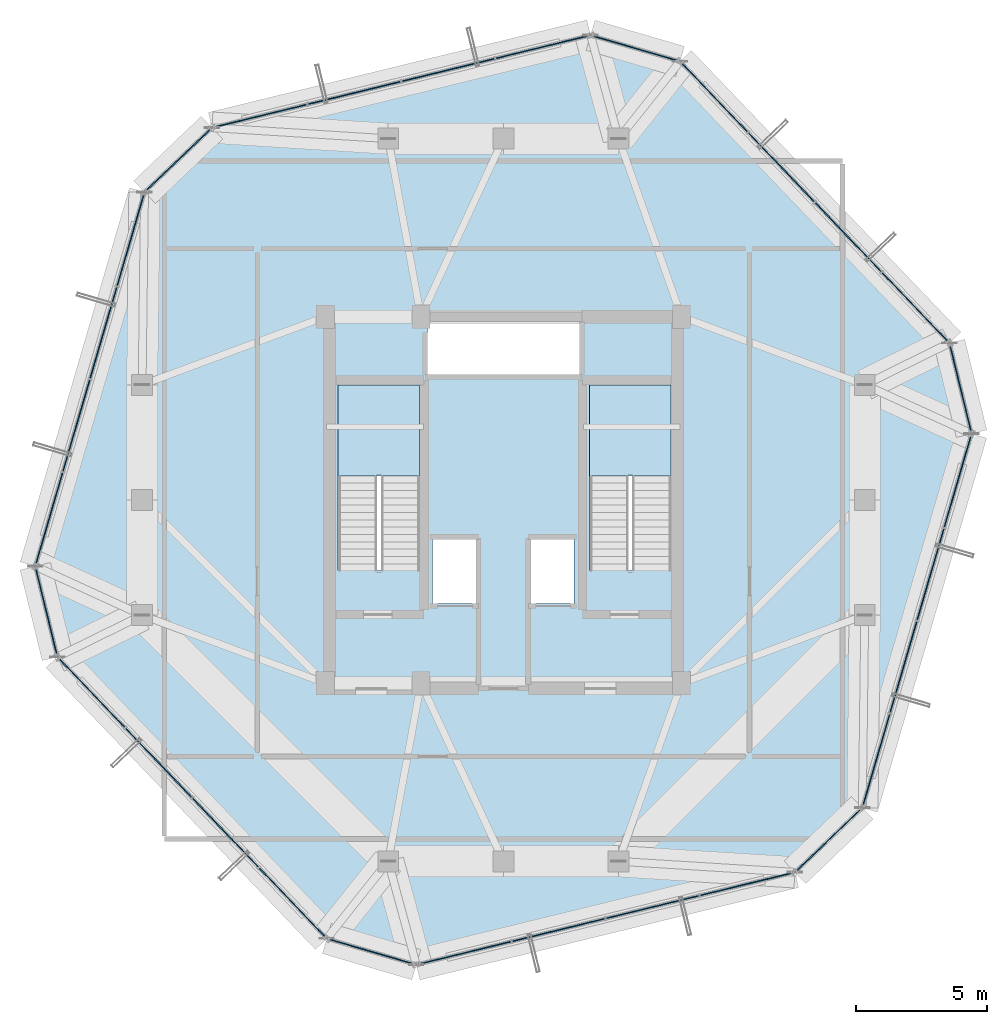
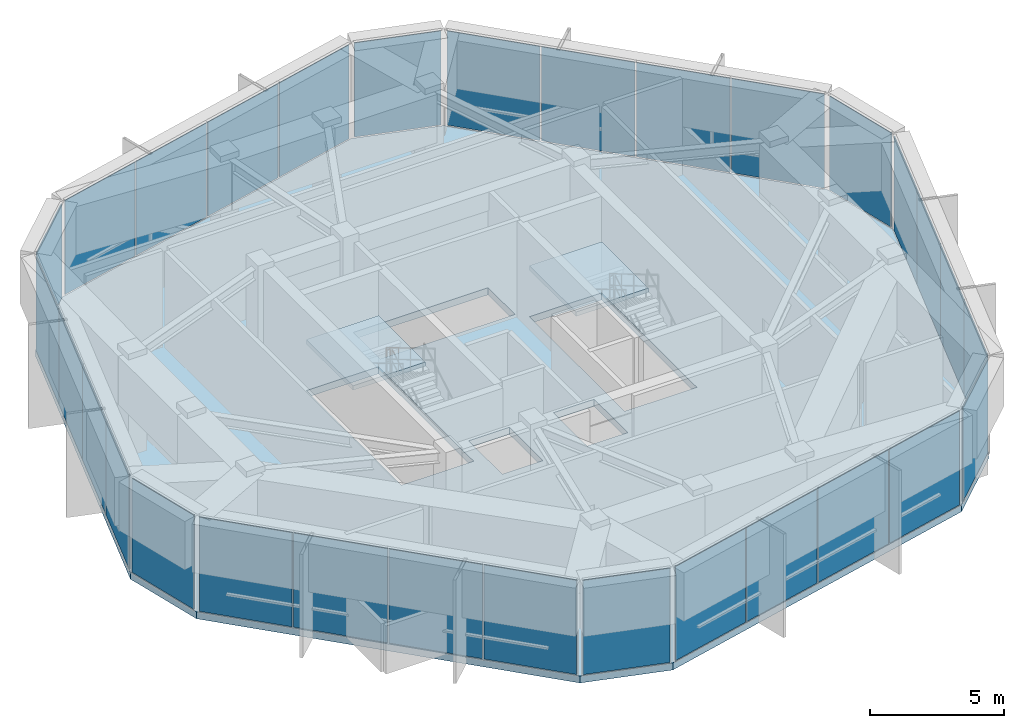
# One storey, part 34 of 39: 30 plates, 3 slabs, 14 elements without a shape of their own.
"""IFC4 building model written with IfcOpenShell, lengths in metres."""

from ifc_helpers import new_model, si_unit, direction, frame, origin, origin_2d, place, context, subcontext, project, spatial, polyline, rectangle, outline, extrude, source, transform, mapped, material, layer, layer_set, type_object, element, aggregate, save


model = new_model("IFC4")

# Units and contexts
model_context = context("Model", 3, precision=1e-05, world=origin(), true_north=direction((0.0, 1.0)))
body_context = subcontext(model_context, "Body", "Model", "MODEL_VIEW")
ifc_project = project(units=[si_unit("LENGTHUNIT", "METRE"), si_unit("AREAUNIT", "SQUARE_METRE"), si_unit("VOLUMEUNIT", "CUBIC_METRE"), si_unit("PLANEANGLEUNIT", "RADIAN"), si_unit("MASSUNIT", "GRAM", prefix="KILO")], contexts=[model_context])

# Site, building, storey
site_placement = place(None, origin())
site = spatial("IfcSite", under=ifc_project, at=site_placement, CompositionType="ELEMENT")
building_placement = place(site_placement, origin())
building = spatial("IfcBuilding", under=site, at=building_placement, Name="Veraguas Prism Commons", CompositionType="ELEMENT")
storey_placement = place(building_placement, frame((0.0, 0.0, 264.25)))
storey = spatial("IfcBuildingStorey", under=building, at=storey_placement, Name="L75", CompositionType="ELEMENT", Elevation=264.25)

# Slab
ifc_material_1 = material(Name="Concrete C45/55", Category="concrete")
ifc_layer_1 = layer(ifc_material_1, 0.320068359375, Name="Plant Refuge and Sky Lobby Slab RC 320", Category="concrete")
ifc_layer_set_1 = layer_set([ifc_layer_1], Name="Concrete C45/55")
slab_type_1 = type_object("IfcSlabType", Name="Plant Refuge and Sky Lobby Slab RC 320", PredefinedType="FLOOR", material=ifc_layer_set_1)
slab_1_placement = place(storey_placement, frame((0.0, 0.0, -0.320068359375)))
element("IfcSlab", 1, at=slab_1_placement, inside=storey, type_object=slab_type_1, Name="Tower Floor Slab L75", PredefinedType="FLOOR", context=body_context, shape_type="SweptSolid", body=[
    extrude(outline(polyline([(41.88134765625, 26.531982421875), (41.036376953125, 29.992919921875), (30.747802734375, 40.751708984375), (27.328125, 41.750244140625), (12.86669921875, 38.219482421875), (10.2919921875, 35.757568359375), (6.11865234375, 21.468017578125), (6.963623046875, 18.007080078125), (17.252197265625, 7.248291015625), (20.671875, 6.249755859375), (35.13330078125, 9.780517578125), (37.7080078125, 12.242431640625), (41.88134765625, 26.531982421875)]), holes=[polyline([(20.800048828125, 21.31005859375), (20.800048828125, 28.39990234375), (17.68994140625, 28.39990234375), (17.68994140625, 21.31005859375), (20.800048828125, 21.31005859375)]), polyline([(30.39990234375, 21.31005859375), (30.39990234375, 28.39990234375), (27.2900390625, 28.39990234375), (27.2900390625, 21.31005859375), (30.39990234375, 21.31005859375)]), polyline([(21.10009765625, 28.800048828125), (26.89990234375, 28.800048828125), (26.89990234375, 30.800048828125), (21.10009765625, 30.800048828125), (21.10009765625, 28.800048828125)]), polyline([(21.300048828125, 20.050048828125), (23.050048828125, 20.050048828125), (23.050048828125, 22.550048828125), (21.300048828125, 22.550048828125), (21.300048828125, 20.050048828125)]), polyline([(24.949951171875, 20.050048828125), (26.699951171875, 20.050048828125), (26.699951171875, 22.550048828125), (24.949951171875, 22.550048828125), (24.949951171875, 20.050048828125)])]), origin(), (0.0, 0.0, 1.0), 0.320068359375),
])

# Stair, slab
ifc_material_2 = material(Name="Precast concrete C45/55", Category="concrete")
stair_type = type_object("IfcStairType", Name="Dogleg Core Stair 1480W 28R 07", PredefinedType="HALF_TURN_STAIR", material=ifc_material_2)
stair_1_placement = place(storey_placement, origin())
stair_1 = element("IfcStair", 2, at=stair_1_placement, inside=storey, type_object=stair_type, Name="Protected Exit Stair ST-01 L75", PredefinedType="HALF_TURN_STAIR")
ifc_layer_2 = layer(ifc_material_2, 0.199951171875, Name="Precast Stair and Ramp Landing Slab 200", Category="concrete")
ifc_layer_set_2 = layer_set([ifc_layer_2], Name="Precast concrete C45/55")
slab_type_2 = type_object("IfcSlabType", Name="Precast Stair and Ramp Landing Slab 200", PredefinedType="LANDING", material=ifc_layer_set_2)
slab_2_placement = place(storey_placement, frame((0.0, 0.0, 2.125)))
slab_2 = element("IfcSlab", 3, at=slab_2_placement, type_object=slab_type_2, Name="ST-07 Landing 1", PredefinedType="LANDING", context=body_context, shape_type="SweptSolid", body=[
    extrude(outline(polyline([(20.800048828125, 24.919921875), (20.800048828125, 28.39990234375), (17.68994140625, 28.39990234375), (17.68994140625, 24.919921875), (20.800048828125, 24.919921875)])), origin(), (0.0, 0.0, 1.0), 0.199951171875),
])
aggregate(stair_1, [slab_2])

stair_2_placement = place(storey_placement, origin())
stair_2 = element("IfcStair", 4, at=stair_2_placement, inside=storey, type_object=stair_type, Name="Protected Exit Stair ST-02 L75", PredefinedType="HALF_TURN_STAIR")
slab_3_placement = place(storey_placement, frame((0.0, 0.0, 2.125)))
slab_3 = element("IfcSlab", 5, at=slab_3_placement, type_object=slab_type_2, Name="ST-07 Landing 1", PredefinedType="LANDING", context=body_context, shape_type="SweptSolid", body=[
    extrude(outline(polyline([(30.39990234375, 24.919921875), (30.39990234375, 28.39990234375), (27.2900390625, 28.39990234375), (27.2900390625, 24.919921875), (30.39990234375, 24.919921875)])), origin(), (0.0, 0.0, 1.0), 0.199951171875),
])
aggregate(stair_2, [slab_3])

# Curtain wall, plates
ifc_material_3 = material(Name="Anodised aluminium EN AW-6063 T6", Category="aluminium")
ifc_layer_3 = layer(ifc_material_3, 0.14990234375, Name="Unitised Flush Curtain Wall Zone 4", Category="aluminium")
ifc_layer_set_3 = layer_set([ifc_layer_3], Name="Anodised aluminium EN AW-6063 T6")
curtain_wall_type = type_object("IfcCurtainWallType", Name="Unitised Flush Curtain Wall Zone 4", PredefinedType="NOTDEFINED", material=ifc_layer_set_3)
curtain_wall_1_placement = place(storey_placement, origin())
curtain_wall_1 = element("IfcCurtainWall", 6, at=curtain_wall_1_placement, inside=storey, type_object=curtain_wall_type, Name="Tower Facade Curtain Wall L75-F1", PredefinedType="NOTDEFINED")
ifc_material_4 = material(Name="Spandrel frit insulated glass", Category="glass")
ifc_layer_4 = layer(ifc_material_4, 0.0400390625, Name="Insulated Pale-Metal Spandrel Panel 40", Category="glass")
ifc_layer_set_4 = layer_set([ifc_layer_4], Name="Spandrel frit insulated glass")
plate_type = type_object("IfcPlateType", Name="Insulated Pale-Metal Spandrel Panel 40", PredefinedType="SHEET", material=ifc_layer_set_4)
shared_shape_1 = source(origin(), body_context, "Body", "SweptSolid", [
    extrude(rectangle(XDim=3.6015625, YDim=0.0400390625, at=origin_2d()), origin(), (0.0, 0.0, 1.0), 4.280029296875),
])
plate_1_placement = place(storey_placement, frame((39.708740234375, 31.381103515625, 0.05517578125), z_axis=(0.0, 0.0, 1.0), x_axis=(-0.691134732122, 0.722725938412, 0.0)))
plate_1 = element("IfcPlate", 7, at=plate_1_placement, type_object=plate_type, Name="CW-Z4 Panel 1.1", PredefinedType="SHEET", context=body_context, shape_type="MappedRepresentation", body=[
    mapped(shared_shape_1, transform((0.0, 0.0, 0.0), scale=1.0)),
])
plate_2_placement = place(storey_placement, frame((32.075439453125, 39.363525390625, 0.05517578125), z_axis=(0.0, 0.0, 1.0), x_axis=(-0.691134732122, 0.722725938412, 0.0)))
plate_2 = element("IfcPlate", 8, at=plate_2_placement, type_object=plate_type, Name="CW-Z4 Panel 4.1", PredefinedType="SHEET", context=body_context, shape_type="MappedRepresentation", body=[
    mapped(shared_shape_1, transform((0.0, 0.0, 0.0), scale=1.0)),
])

curtain_wall_2_placement = place(storey_placement, origin())
curtain_wall_2 = element("IfcCurtainWall", 9, at=curtain_wall_2_placement, inside=storey, type_object=curtain_wall_type, Name="Tower Facade Curtain Wall L75-F2", PredefinedType="NOTDEFINED")
plate_3_placement = place(storey_placement, frame((25.462158203125, 41.294677734375, 0.05517578125), z_axis=(0.0, 0.0, 1.0), x_axis=(-0.97146556079, -0.237180657305, 0.0)))
plate_3 = element("IfcPlate", 10, at=plate_3_placement, type_object=plate_type, Name="CW-Z4 Panel 1.1", PredefinedType="SHEET", context=body_context, shape_type="MappedRepresentation", body=[
    mapped(shared_shape_1, transform((0.0, 0.0, 0.0), scale=1.0)),
])
plate_4_placement = place(storey_placement, frame((14.732666015625, 38.675048828125, 0.05517578125), z_axis=(0.0, 0.0, 1.0), x_axis=(-0.97146556079, -0.237180657305, 0.0)))
plate_4 = element("IfcPlate", 11, at=plate_4_placement, type_object=plate_type, Name="CW-Z4 Panel 4.1", PredefinedType="SHEET", context=body_context, shape_type="MappedRepresentation", body=[
    mapped(shared_shape_1, transform((0.0, 0.0, 0.0), scale=1.0)),
])

curtain_wall_3_placement = place(storey_placement, origin())
curtain_wall_3 = element("IfcCurtainWall", 12, at=curtain_wall_3_placement, inside=storey, type_object=curtain_wall_type, Name="Tower Facade Curtain Wall L75-F3", PredefinedType="NOTDEFINED")
plate_5_placement = place(storey_placement, frame((9.75341796875, 33.913818359375, 0.05517578125), z_axis=(0.0, 0.0, 1.0), x_axis=(-0.28033835796, -0.959901247554, 0.0)))
plate_5 = element("IfcPlate", 13, at=plate_5_placement, type_object=plate_type, Name="CW-Z4 Panel 1.1", PredefinedType="SHEET", context=body_context, shape_type="MappedRepresentation", body=[
    mapped(shared_shape_1, transform((0.0, 0.0, 0.0), scale=1.0)),
])
plate_6_placement = place(storey_placement, frame((6.6572265625, 23.311767578125, 0.05517578125), z_axis=(0.0, 0.0, 1.0), x_axis=(-0.28033835796, -0.959901247554, 0.0)))
plate_6 = element("IfcPlate", 14, at=plate_6_placement, type_object=plate_type, Name="CW-Z4 Panel 4.1", PredefinedType="SHEET", context=body_context, shape_type="MappedRepresentation", body=[
    mapped(shared_shape_1, transform((0.0, 0.0, 0.0), scale=1.0)),
])

curtain_wall_4_placement = place(storey_placement, origin())
curtain_wall_4 = element("IfcCurtainWall", 15, at=curtain_wall_4_placement, inside=storey, type_object=curtain_wall_type, Name="Tower Facade Curtain Wall L75-F4", PredefinedType="NOTDEFINED")
plate_7_placement = place(storey_placement, frame((8.291259765625, 16.618896484375, 0.05517578125), z_axis=(0.0, 0.0, 1.0), x_axis=(0.691134732122, -0.722725938412, 0.0)))
plate_7 = element("IfcPlate", 16, at=plate_7_placement, type_object=plate_type, Name="CW-Z4 Panel 1.1", PredefinedType="SHEET", context=body_context, shape_type="MappedRepresentation", body=[
    mapped(shared_shape_1, transform((0.0, 0.0, 0.0), scale=1.0)),
])
plate_8_placement = place(storey_placement, frame((15.924560546875, 8.636474609375, 0.05517578125), z_axis=(0.0, 0.0, 1.0), x_axis=(0.691134732122, -0.722725938412, 0.0)))
plate_8 = element("IfcPlate", 17, at=plate_8_placement, type_object=plate_type, Name="CW-Z4 Panel 4.1", PredefinedType="SHEET", context=body_context, shape_type="MappedRepresentation", body=[
    mapped(shared_shape_1, transform((0.0, 0.0, 0.0), scale=1.0)),
])

curtain_wall_5_placement = place(storey_placement, origin())
curtain_wall_5 = element("IfcCurtainWall", 18, at=curtain_wall_5_placement, inside=storey, type_object=curtain_wall_type, Name="Tower Facade Curtain Wall L75-F5", PredefinedType="NOTDEFINED")
plate_9_placement = place(storey_placement, frame((22.537841796875, 6.705322265625, 0.05517578125), z_axis=(0.0, 0.0, 1.0), x_axis=(0.97146556079, 0.237180657305, 0.0)))
plate_9 = element("IfcPlate", 19, at=plate_9_placement, type_object=plate_type, Name="CW-Z4 Panel 1.1", PredefinedType="SHEET", context=body_context, shape_type="MappedRepresentation", body=[
    mapped(shared_shape_1, transform((0.0, 0.0, 0.0), scale=1.0)),
])
plate_10_placement = place(storey_placement, frame((33.267333984375, 9.324951171875, 0.05517578125), z_axis=(0.0, 0.0, 1.0), x_axis=(0.97146556079, 0.237180657305, 0.0)))
plate_10 = element("IfcPlate", 20, at=plate_10_placement, type_object=plate_type, Name="CW-Z4 Panel 4.1", PredefinedType="SHEET", context=body_context, shape_type="MappedRepresentation", body=[
    mapped(shared_shape_1, transform((0.0, 0.0, 0.0), scale=1.0)),
])

curtain_wall_6_placement = place(storey_placement, origin())
curtain_wall_6 = element("IfcCurtainWall", 21, at=curtain_wall_6_placement, inside=storey, type_object=curtain_wall_type, Name="Tower Facade Curtain Wall L75-F6", PredefinedType="NOTDEFINED")
plate_11_placement = place(storey_placement, frame((38.24658203125, 14.086181640625, 0.05517578125), z_axis=(0.0, 0.0, 1.0), x_axis=(0.28033835796, 0.959901247554, 0.0)))
plate_11 = element("IfcPlate", 22, at=plate_11_placement, type_object=plate_type, Name="CW-Z4 Panel 1.1", PredefinedType="SHEET", context=body_context, shape_type="MappedRepresentation", body=[
    mapped(shared_shape_1, transform((0.0, 0.0, 0.0), scale=1.0)),
])
plate_12_placement = place(storey_placement, frame((41.3427734375, 24.688232421875, 0.05517578125), z_axis=(0.0, 0.0, 1.0), x_axis=(0.28033835796, 0.959901247554, 0.0)))
plate_12 = element("IfcPlate", 23, at=plate_12_placement, type_object=plate_type, Name="CW-Z4 Panel 4.1", PredefinedType="SHEET", context=body_context, shape_type="MappedRepresentation", body=[
    mapped(shared_shape_1, transform((0.0, 0.0, 0.0), scale=1.0)),
])

# Plate
shared_shape_2 = source(origin(), body_context, "Body", "SweptSolid", [
    extrude(rectangle(XDim=3.631591796875, YDim=0.0400390625, at=origin_2d()), origin(), (0.0, 0.0, 1.0), 4.280029296875),
])
plate_13_placement = place(storey_placement, frame((37.167724609375, 34.038330078125, 0.05517578125), z_axis=(0.0, 0.0, 1.0), x_axis=(-0.691134732122, 0.722725938412, 0.0)))
plate_13 = element("IfcPlate", 24, at=plate_13_placement, type_object=plate_type, Name="CW-Z4 Panel 2.1", PredefinedType="SHEET", context=body_context, shape_type="MappedRepresentation", body=[
    mapped(shared_shape_2, transform((0.0, 0.0, 0.0), scale=1.0)),
])

plate_14_placement = place(storey_placement, frame((34.616455078125, 36.706298828125, 0.05517578125), z_axis=(0.0, 0.0, 1.0), x_axis=(-0.691134732122, 0.722725938412, 0.0)))
plate_14 = element("IfcPlate", 25, at=plate_14_placement, type_object=plate_type, Name="CW-Z4 Panel 3.1", PredefinedType="SHEET", context=body_context, shape_type="MappedRepresentation", body=[
    mapped(shared_shape_2, transform((0.0, 0.0, 0.0), scale=1.0)),
])

aggregate(curtain_wall_1, [plate_1, plate_13, plate_14, plate_2])

plate_15_placement = place(storey_placement, frame((21.890625, 40.4228515625, 0.05517578125), z_axis=(0.0, 0.0, 1.0), x_axis=(-0.97146556079, -0.237180657305, 0.0)))
plate_15 = element("IfcPlate", 26, at=plate_15_placement, type_object=plate_type, Name="CW-Z4 Panel 2.1", PredefinedType="SHEET", context=body_context, shape_type="MappedRepresentation", body=[
    mapped(shared_shape_2, transform((0.0, 0.0, 0.0), scale=1.0)),
])

plate_16_placement = place(storey_placement, frame((18.30419921875, 39.547119140625, 0.05517578125), z_axis=(0.0, 0.0, 1.0), x_axis=(-0.97146556079, -0.237180657305, 0.0)))
plate_16 = element("IfcPlate", 27, at=plate_16_placement, type_object=plate_type, Name="CW-Z4 Panel 3.1", PredefinedType="SHEET", context=body_context, shape_type="MappedRepresentation", body=[
    mapped(shared_shape_2, transform((0.0, 0.0, 0.0), scale=1.0)),
])

aggregate(curtain_wall_2, [plate_3, plate_15, plate_16, plate_4])

plate_17_placement = place(storey_placement, frame((8.72265625, 30.384521484375, 0.05517578125), z_axis=(0.0, 0.0, 1.0), x_axis=(-0.28033835796, -0.959901247554, 0.0)))
plate_17 = element("IfcPlate", 28, at=plate_17_placement, type_object=plate_type, Name="CW-Z4 Panel 2.1", PredefinedType="SHEET", context=body_context, shape_type="MappedRepresentation", body=[
    mapped(shared_shape_2, transform((0.0, 0.0, 0.0), scale=1.0)),
])

plate_18_placement = place(storey_placement, frame((7.687744140625, 26.841064453125, 0.05517578125), z_axis=(0.0, 0.0, 1.0), x_axis=(-0.28033835796, -0.959901247554, 0.0)))
plate_18 = element("IfcPlate", 29, at=plate_18_placement, type_object=plate_type, Name="CW-Z4 Panel 3.1", PredefinedType="SHEET", context=body_context, shape_type="MappedRepresentation", body=[
    mapped(shared_shape_2, transform((0.0, 0.0, 0.0), scale=1.0)),
])

aggregate(curtain_wall_3, [plate_5, plate_17, plate_18, plate_6])

plate_19_placement = place(storey_placement, frame((10.832275390625, 13.961669921875, 0.05517578125), z_axis=(0.0, 0.0, 1.0), x_axis=(0.691134732122, -0.722725938412, 0.0)))
plate_19 = element("IfcPlate", 30, at=plate_19_placement, type_object=plate_type, Name="CW-Z4 Panel 2.1", PredefinedType="SHEET", context=body_context, shape_type="MappedRepresentation", body=[
    mapped(shared_shape_2, transform((0.0, 0.0, 0.0), scale=1.0)),
])

plate_20_placement = place(storey_placement, frame((13.383544921875, 11.293701171875, 0.05517578125), z_axis=(0.0, 0.0, 1.0), x_axis=(0.691134732122, -0.722725938412, 0.0)))
plate_20 = element("IfcPlate", 31, at=plate_20_placement, type_object=plate_type, Name="CW-Z4 Panel 3.1", PredefinedType="SHEET", context=body_context, shape_type="MappedRepresentation", body=[
    mapped(shared_shape_2, transform((0.0, 0.0, 0.0), scale=1.0)),
])

aggregate(curtain_wall_4, [plate_7, plate_19, plate_20, plate_8])

plate_21_placement = place(storey_placement, frame((26.109375, 7.5771484375, 0.05517578125), z_axis=(0.0, 0.0, 1.0), x_axis=(0.97146556079, 0.237180657305, 0.0)))
plate_21 = element("IfcPlate", 32, at=plate_21_placement, type_object=plate_type, Name="CW-Z4 Panel 2.1", PredefinedType="SHEET", context=body_context, shape_type="MappedRepresentation", body=[
    mapped(shared_shape_2, transform((0.0, 0.0, 0.0), scale=1.0)),
])

plate_22_placement = place(storey_placement, frame((29.69580078125, 8.452880859375, 0.05517578125), z_axis=(0.0, 0.0, 1.0), x_axis=(0.97146556079, 0.237180657305, 0.0)))
plate_22 = element("IfcPlate", 33, at=plate_22_placement, type_object=plate_type, Name="CW-Z4 Panel 3.1", PredefinedType="SHEET", context=body_context, shape_type="MappedRepresentation", body=[
    mapped(shared_shape_2, transform((0.0, 0.0, 0.0), scale=1.0)),
])

aggregate(curtain_wall_5, [plate_9, plate_21, plate_22, plate_10])

plate_23_placement = place(storey_placement, frame((39.27734375, 17.615478515625, 0.05517578125), z_axis=(0.0, 0.0, 1.0), x_axis=(0.28033835796, 0.959901247554, 0.0)))
plate_23 = element("IfcPlate", 34, at=plate_23_placement, type_object=plate_type, Name="CW-Z4 Panel 2.1", PredefinedType="SHEET", context=body_context, shape_type="MappedRepresentation", body=[
    mapped(shared_shape_2, transform((0.0, 0.0, 0.0), scale=1.0)),
])

plate_24_placement = place(storey_placement, frame((40.312255859375, 21.158935546875, 0.05517578125), z_axis=(0.0, 0.0, 1.0), x_axis=(0.28033835796, 0.959901247554, 0.0)))
plate_24 = element("IfcPlate", 35, at=plate_24_placement, type_object=plate_type, Name="CW-Z4 Panel 3.1", PredefinedType="SHEET", context=body_context, shape_type="MappedRepresentation", body=[
    mapped(shared_shape_2, transform((0.0, 0.0, 0.0), scale=1.0)),
])

aggregate(curtain_wall_6, [plate_11, plate_23, plate_24, plate_12])

# Curtain wall, plate
curtain_wall_7_placement = place(storey_placement, origin())
curtain_wall_7 = element("IfcCurtainWall", 36, at=curtain_wall_7_placement, inside=storey, type_object=curtain_wall_type, Name="Chamfer Curtain Wall L75-C1", PredefinedType="NOTDEFINED")
shared_shape_3 = source(origin(), body_context, "Body", "SweptSolid", [
    extrude(rectangle(XDim=3.322509765625, YDim=0.0400390625, at=origin_2d()), origin(), (0.0, 0.0, 1.0), 4.280029296875),
])
plate_25_placement = place(storey_placement, frame((41.458740234375, 28.262451171875, 0.05517578125), z_axis=(0.0, 0.0, 1.0), x_axis=(-0.237207785649, 0.971458937077, 0.0)))
plate_25 = element("IfcPlate", 37, at=plate_25_placement, type_object=plate_type, Name="CW-Z4 Panel 1.1", PredefinedType="SHEET", context=body_context, shape_type="MappedRepresentation", body=[
    mapped(shared_shape_3, transform((0.0, 0.0, 0.0), scale=1.0)),
])
aggregate(curtain_wall_7, [plate_25])

curtain_wall_8_placement = place(storey_placement, origin())
curtain_wall_8 = element("IfcCurtainWall", 38, at=curtain_wall_8_placement, inside=storey, type_object=curtain_wall_type, Name="Chamfer Curtain Wall L75-C2", PredefinedType="NOTDEFINED")
plate_26_placement = place(storey_placement, frame((29.0380859375, 41.2509765625, 0.05517578125), z_axis=(0.0, 0.0, 1.0), x_axis=(-0.959905161723, 0.280324955183, 0.0)))
plate_26 = element("IfcPlate", 39, at=plate_26_placement, type_object=plate_type, Name="CW-Z4 Panel 1.1", PredefinedType="SHEET", context=body_context, shape_type="MappedRepresentation", body=[
    mapped(shared_shape_3, transform((0.0, 0.0, 0.0), scale=1.0)),
])
aggregate(curtain_wall_8, [plate_26])

curtain_wall_9_placement = place(storey_placement, origin())
curtain_wall_9 = element("IfcCurtainWall", 40, at=curtain_wall_9_placement, inside=storey, type_object=curtain_wall_type, Name="Chamfer Curtain Wall L75-C4", PredefinedType="NOTDEFINED")
plate_27_placement = place(storey_placement, frame((6.541259765625, 19.737548828125, 0.05517578125), z_axis=(0.0, 0.0, 1.0), x_axis=(0.237207785649, -0.971458937077, 0.0)))
plate_27 = element("IfcPlate", 41, at=plate_27_placement, type_object=plate_type, Name="CW-Z4 Panel 1.1", PredefinedType="SHEET", context=body_context, shape_type="MappedRepresentation", body=[
    mapped(shared_shape_3, transform((0.0, 0.0, 0.0), scale=1.0)),
])
aggregate(curtain_wall_9, [plate_27])

curtain_wall_10_placement = place(storey_placement, origin())
curtain_wall_10 = element("IfcCurtainWall", 42, at=curtain_wall_10_placement, inside=storey, type_object=curtain_wall_type, Name="Chamfer Curtain Wall L75-C5", PredefinedType="NOTDEFINED")
plate_28_placement = place(storey_placement, frame((18.9619140625, 6.7490234375, 0.05517578125), z_axis=(0.0, 0.0, 1.0), x_axis=(0.959905161723, -0.280324955183, 0.0)))
plate_28 = element("IfcPlate", 43, at=plate_28_placement, type_object=plate_type, Name="CW-Z4 Panel 1.1", PredefinedType="SHEET", context=body_context, shape_type="MappedRepresentation", body=[
    mapped(shared_shape_3, transform((0.0, 0.0, 0.0), scale=1.0)),
])
aggregate(curtain_wall_10, [plate_28])

curtain_wall_11_placement = place(storey_placement, origin())
curtain_wall_11 = element("IfcCurtainWall", 44, at=curtain_wall_11_placement, inside=storey, type_object=curtain_wall_type, Name="Chamfer Curtain Wall L75-C3", PredefinedType="NOTDEFINED")
shared_shape_4 = source(origin(), body_context, "Body", "SweptSolid", [
    extrude(rectangle(XDim=3.322265625, YDim=0.0400390625, at=origin_2d()), origin(), (0.0, 0.0, 1.0), 4.280029296875),
])
plate_29_placement = place(storey_placement, frame((11.579345703125, 36.988525390625, 0.05517578125), z_axis=(0.0, 0.0, 1.0), x_axis=(-0.722733175919, -0.691127163716, 0.0)))
plate_29 = element("IfcPlate", 45, at=plate_29_placement, type_object=plate_type, Name="CW-Z4 Panel 1.1", PredefinedType="SHEET", context=body_context, shape_type="MappedRepresentation", body=[
    mapped(shared_shape_4, transform((0.0, 0.0, 0.0), scale=1.0)),
])
aggregate(curtain_wall_11, [plate_29])

curtain_wall_12_placement = place(storey_placement, origin())
curtain_wall_12 = element("IfcCurtainWall", 46, at=curtain_wall_12_placement, inside=storey, type_object=curtain_wall_type, Name="Chamfer Curtain Wall L75-C6", PredefinedType="NOTDEFINED")
plate_30_placement = place(storey_placement, frame((36.420654296875, 11.011474609375, 0.05517578125), z_axis=(0.0, 0.0, 1.0), x_axis=(0.722733175919, 0.691127163716, 0.0)))
plate_30 = element("IfcPlate", 47, at=plate_30_placement, type_object=plate_type, Name="CW-Z4 Panel 1.1", PredefinedType="SHEET", context=body_context, shape_type="MappedRepresentation", body=[
    mapped(shared_shape_4, transform((0.0, 0.0, 0.0), scale=1.0)),
])
aggregate(curtain_wall_12, [plate_30])

save(model, "model.ifc")
